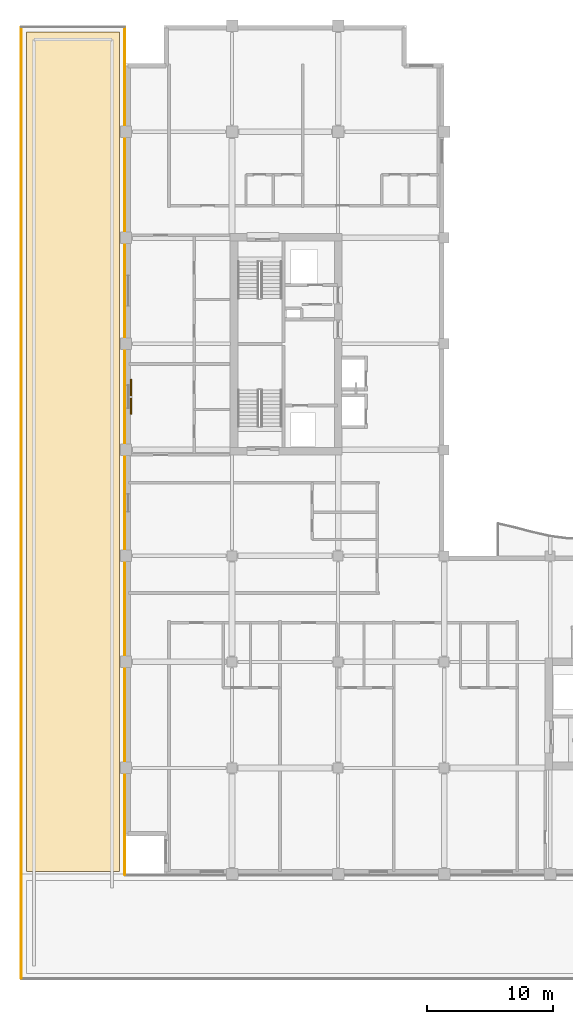
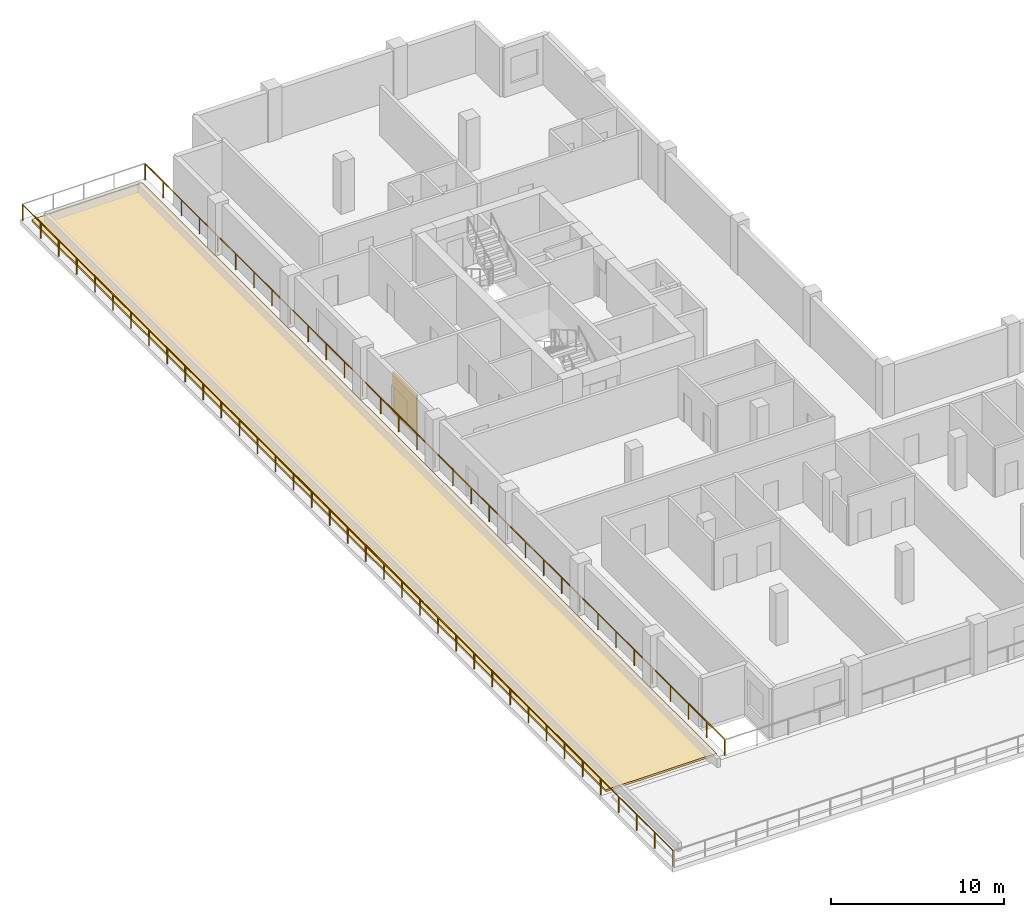
# One storey, part 11 of 13: 2 railings, 1 covering, 1 shading device.
"""IFC4 building model written with IfcOpenShell, lengths in metres."""

from ifc_helpers import new_model, si_unit, direction, frame, origin, origin_2d, place, context, subcontext, project, spatial, polyline, rectangle, circle, outline, extrude, material, layer, layer_set, type_object, element, save


model = new_model("IFC4")

# Units and contexts
model_context = context("Model", 3, precision=1e-05, world=origin(), true_north=direction((0.0, 1.0)))
body_context = subcontext(model_context, "Body", "Model", "MODEL_VIEW")
ifc_project = project(units=[si_unit("LENGTHUNIT", "METRE"), si_unit("AREAUNIT", "SQUARE_METRE"), si_unit("VOLUMEUNIT", "CUBIC_METRE"), si_unit("PLANEANGLEUNIT", "RADIAN"), si_unit("MASSUNIT", "GRAM", prefix="KILO")], contexts=[model_context])

# Site, building, storey
site_placement = place(None, origin())
site = spatial("IfcSite", under=ifc_project, at=site_placement, CompositionType="ELEMENT")
building_placement = place(site_placement, origin())
building = spatial("IfcBuilding", under=site, at=building_placement, Name="Koriwani Terraces Tower", CompositionType="ELEMENT")
storey_placement = place(building_placement, frame((0.0, 0.0, 234.199951171875)))
storey = spatial("IfcBuildingStorey", under=building, at=storey_placement, Name="L57", CompositionType="ELEMENT", Elevation=234.199951171875)

# Railings
ifc_material_1 = material(Name="Steel ASTM A572 Grade 50", Category="steel")
railing_type = type_object("IfcRailingType", Name="GUARD_BALUSTRADE_1150", PredefinedType="BALUSTRADE", material=ifc_material_1)
railing_1_placement = place(storey_placement, frame((0.10009765625, 0.135009765625, 0.0)))
element("IfcRailing", 1, at=railing_1_placement, inside=storey, type_object=railing_type, Name="L57 Setback Sky-Garden Terrace Balustrade Segment 1", PredefinedType="BALUSTRADE", context=body_context, shape_type="SweptSolid", body=[
    extrude(circle(Radius=0.02490234375, at=origin_2d()), frame((0.0, 0.0, 1.125), z_axis=(0.0, 1.0, 0.0), x_axis=(-1.0, 0.0, 0.0)), (0.0, 0.0, 1.0), 75.330078125),
    extrude(circle(Radius=0.0224609375, at=origin_2d()), origin(), (0.0, 0.0, 1.0), 1.099853515625),
    extrude(circle(Radius=0.0224609375, at=origin_2d()), frame((0.0, 2.092529296875, 0.0)), (0.0, 0.0, 1.0), 1.099853515625),
    extrude(circle(Radius=0.0224609375, at=origin_2d()), frame((0.0, 4.18505859375, 0.0)), (0.0, 0.0, 1.0), 1.099853515625),
    extrude(circle(Radius=0.0224609375, at=origin_2d()), frame((0.0, 6.277587890625, 0.0)), (0.0, 0.0, 1.0), 1.099853515625),
    extrude(circle(Radius=0.0224609375, at=origin_2d()), frame((0.0, 8.3701171875, 0.0)), (0.0, 0.0, 1.0), 1.099853515625),
    extrude(circle(Radius=0.0224609375, at=origin_2d()), frame((0.0, 10.46240234375, 0.0)), (0.0, 0.0, 1.0), 1.099853515625),
    extrude(circle(Radius=0.0224609375, at=origin_2d()), frame((0.0, 12.554931640625, 0.0)), (0.0, 0.0, 1.0), 1.099853515625),
    extrude(circle(Radius=0.0224609375, at=origin_2d()), frame((0.0, 14.6474609375, 0.0)), (0.0, 0.0, 1.0), 1.099853515625),
    extrude(circle(Radius=0.0224609375, at=origin_2d()), frame((0.0, 16.739990234375, 0.0)), (0.0, 0.0, 1.0), 1.099853515625),
    extrude(circle(Radius=0.0224609375, at=origin_2d()), frame((0.0, 18.83251953125, 0.0)), (0.0, 0.0, 1.0), 1.099853515625),
    extrude(circle(Radius=0.0224609375, at=origin_2d()), frame((0.0, 20.925048828125, 0.0)), (0.0, 0.0, 1.0), 1.099853515625),
    extrude(circle(Radius=0.0224609375, at=origin_2d()), frame((0.0, 23.017578125, 0.0)), (0.0, 0.0, 1.0), 1.099853515625),
    extrude(circle(Radius=0.0224609375, at=origin_2d()), frame((0.0, 25.110107421875, 0.0)), (0.0, 0.0, 1.0), 1.099853515625),
    extrude(circle(Radius=0.0224609375, at=origin_2d()), frame((0.0, 27.20263671875, 0.0)), (0.0, 0.0, 1.0), 1.099853515625),
    extrude(circle(Radius=0.0224609375, at=origin_2d()), frame((0.0, 29.294921875, 0.0)), (0.0, 0.0, 1.0), 1.099853515625),
    extrude(circle(Radius=0.0224609375, at=origin_2d()), frame((0.0, 31.387451171875, 0.0)), (0.0, 0.0, 1.0), 1.099853515625),
    extrude(circle(Radius=0.0224609375, at=origin_2d()), frame((0.0, 33.47998046875, 0.0)), (0.0, 0.0, 1.0), 1.099853515625),
    extrude(circle(Radius=0.0224609375, at=origin_2d()), frame((0.0, 35.572509765625, 0.0)), (0.0, 0.0, 1.0), 1.099853515625),
    extrude(circle(Radius=0.0224609375, at=origin_2d()), frame((0.0, 37.6650390625, 0.0)), (0.0, 0.0, 1.0), 1.099853515625),
    extrude(circle(Radius=0.0224609375, at=origin_2d()), frame((0.0, 39.757568359375, 0.0)), (0.0, 0.0, 1.0), 1.099853515625),
    extrude(circle(Radius=0.0224609375, at=origin_2d()), frame((0.0, 41.85009765625, 0.0)), (0.0, 0.0, 1.0), 1.099853515625),
    extrude(circle(Radius=0.0224609375, at=origin_2d()), frame((0.0, 43.942626953125, 0.0)), (0.0, 0.0, 1.0), 1.099853515625),
    extrude(circle(Radius=0.0224609375, at=origin_2d()), frame((0.0, 46.03515625, 0.0)), (0.0, 0.0, 1.0), 1.099853515625),
    extrude(circle(Radius=0.0224609375, at=origin_2d()), frame((0.0, 48.12744140625, 0.0)), (0.0, 0.0, 1.0), 1.099853515625),
    extrude(circle(Radius=0.0224609375, at=origin_2d()), frame((0.0, 50.219970703125, 0.0)), (0.0, 0.0, 1.0), 1.099853515625),
    extrude(circle(Radius=0.0224609375, at=origin_2d()), frame((0.0, 52.3125, 0.0)), (0.0, 0.0, 1.0), 1.099853515625),
    extrude(circle(Radius=0.0224609375, at=origin_2d()), frame((0.0, 54.405029296875, 0.0)), (0.0, 0.0, 1.0), 1.099853515625),
    extrude(circle(Radius=0.0224609375, at=origin_2d()), frame((0.0, 56.49755859375, 0.0)), (0.0, 0.0, 1.0), 1.099853515625),
    extrude(circle(Radius=0.0224609375, at=origin_2d()), frame((0.0, 58.590087890625, 0.0)), (0.0, 0.0, 1.0), 1.099853515625),
    extrude(circle(Radius=0.0224609375, at=origin_2d()), frame((0.0, 60.6826171875, 0.0)), (0.0, 0.0, 1.0), 1.099853515625),
    extrude(circle(Radius=0.0224609375, at=origin_2d()), frame((0.0, 62.775146484375, 0.0)), (0.0, 0.0, 1.0), 1.099853515625),
    extrude(circle(Radius=0.0224609375, at=origin_2d()), frame((0.0, 64.86767578125, 0.0)), (0.0, 0.0, 1.0), 1.099853515625),
    extrude(circle(Radius=0.0224609375, at=origin_2d()), frame((0.0, 66.9599609375, 0.0)), (0.0, 0.0, 1.0), 1.099853515625),
    extrude(circle(Radius=0.0224609375, at=origin_2d()), frame((0.0, 69.052490234375, 0.0)), (0.0, 0.0, 1.0), 1.099853515625),
    extrude(circle(Radius=0.0224609375, at=origin_2d()), frame((0.0, 71.14501953125, 0.0)), (0.0, 0.0, 1.0), 1.099853515625),
    extrude(circle(Radius=0.0224609375, at=origin_2d()), frame((0.0, 73.237548828125, 0.0)), (0.0, 0.0, 1.0), 1.099853515625),
    extrude(circle(Radius=0.0224609375, at=origin_2d()), frame((0.0, 75.330078125, 0.0)), (0.0, 0.0, 1.0), 1.099853515625),
])
railing_2_placement = place(storey_placement, frame((8.300048828125, 75.465087890625, 0.0)))
element("IfcRailing", 2, at=railing_2_placement, inside=storey, type_object=railing_type, Name="L57 Setback Sky-Garden Terrace Balustrade Segment 3", PredefinedType="BALUSTRADE", context=body_context, shape_type="SweptSolid", body=[
    extrude(circle(Radius=0.02490234375, at=origin_2d()), frame((0.0, 0.0, 1.125), z_axis=(0.0, -1.0, 0.0), x_axis=(1.0, 0.0, 0.0)), (0.0, 0.0, 1.0), 67.130126953125),
    extrude(circle(Radius=0.0224609375, at=origin_2d()), origin(), (0.0, 0.0, 1.0), 1.099853515625),
    extrude(circle(Radius=0.0224609375, at=origin_2d()), frame((0.0, -2.097900390625, 0.0)), (0.0, 0.0, 1.0), 1.099853515625),
    extrude(circle(Radius=0.0224609375, at=origin_2d()), frame((0.0, -4.195556640625, 0.0)), (0.0, 0.0, 1.0), 1.099853515625),
    extrude(circle(Radius=0.0224609375, at=origin_2d()), frame((0.0, -6.29345703125, 0.0)), (0.0, 0.0, 1.0), 1.099853515625),
    extrude(circle(Radius=0.0224609375, at=origin_2d()), frame((0.0, -8.391357421875, 0.0)), (0.0, 0.0, 1.0), 1.099853515625),
    extrude(circle(Radius=0.0224609375, at=origin_2d()), frame((0.0, -10.489013671875, 0.0)), (0.0, 0.0, 1.0), 1.099853515625),
    extrude(circle(Radius=0.0224609375, at=origin_2d()), frame((0.0, -12.5869140625, 0.0)), (0.0, 0.0, 1.0), 1.099853515625),
    extrude(circle(Radius=0.0224609375, at=origin_2d()), frame((0.0, -14.684814453125, 0.0)), (0.0, 0.0, 1.0), 1.099853515625),
    extrude(circle(Radius=0.0224609375, at=origin_2d()), frame((0.0, -16.782470703125, 0.0)), (0.0, 0.0, 1.0), 1.099853515625),
    extrude(circle(Radius=0.0224609375, at=origin_2d()), frame((0.0, -18.88037109375, 0.0)), (0.0, 0.0, 1.0), 1.099853515625),
    extrude(circle(Radius=0.0224609375, at=origin_2d()), frame((0.0, -20.978271484375, 0.0)), (0.0, 0.0, 1.0), 1.099853515625),
    extrude(circle(Radius=0.0224609375, at=origin_2d()), frame((0.0, -23.075927734375, 0.0)), (0.0, 0.0, 1.0), 1.099853515625),
    extrude(circle(Radius=0.0224609375, at=origin_2d()), frame((0.0, -25.173828125, 0.0)), (0.0, 0.0, 1.0), 1.099853515625),
    extrude(circle(Radius=0.0224609375, at=origin_2d()), frame((0.0, -27.271728515625, 0.0)), (0.0, 0.0, 1.0), 1.099853515625),
    extrude(circle(Radius=0.0224609375, at=origin_2d()), frame((0.0, -29.369384765625, 0.0)), (0.0, 0.0, 1.0), 1.099853515625),
    extrude(circle(Radius=0.0224609375, at=origin_2d()), frame((0.0, -31.46728515625, 0.0)), (0.0, 0.0, 1.0), 1.099853515625),
    extrude(circle(Radius=0.0224609375, at=origin_2d()), frame((0.0, -33.56494140625, 0.0)), (0.0, 0.0, 1.0), 1.099853515625),
    extrude(circle(Radius=0.0224609375, at=origin_2d()), frame((0.0, -35.662841796875, 0.0)), (0.0, 0.0, 1.0), 1.099853515625),
    extrude(circle(Radius=0.0224609375, at=origin_2d()), frame((0.0, -37.7607421875, 0.0)), (0.0, 0.0, 1.0), 1.099853515625),
    extrude(circle(Radius=0.0224609375, at=origin_2d()), frame((0.0, -39.8583984375, 0.0)), (0.0, 0.0, 1.0), 1.099853515625),
    extrude(circle(Radius=0.0224609375, at=origin_2d()), frame((0.0, -41.956298828125, 0.0)), (0.0, 0.0, 1.0), 1.099853515625),
    extrude(circle(Radius=0.0224609375, at=origin_2d()), frame((0.0, -44.05419921875, 0.0)), (0.0, 0.0, 1.0), 1.099853515625),
    extrude(circle(Radius=0.0224609375, at=origin_2d()), frame((0.0, -46.15185546875, 0.0)), (0.0, 0.0, 1.0), 1.099853515625),
    extrude(circle(Radius=0.0224609375, at=origin_2d()), frame((0.0, -48.249755859375, 0.0)), (0.0, 0.0, 1.0), 1.099853515625),
    extrude(circle(Radius=0.0224609375, at=origin_2d()), frame((0.0, -50.34765625, 0.0)), (0.0, 0.0, 1.0), 1.099853515625),
    extrude(circle(Radius=0.0224609375, at=origin_2d()), frame((0.0, -52.4453125, 0.0)), (0.0, 0.0, 1.0), 1.099853515625),
    extrude(circle(Radius=0.0224609375, at=origin_2d()), frame((0.0, -54.543212890625, 0.0)), (0.0, 0.0, 1.0), 1.099853515625),
    extrude(circle(Radius=0.0224609375, at=origin_2d()), frame((0.0, -56.64111328125, 0.0)), (0.0, 0.0, 1.0), 1.099853515625),
    extrude(circle(Radius=0.0224609375, at=origin_2d()), frame((0.0, -58.73876953125, 0.0)), (0.0, 0.0, 1.0), 1.099853515625),
    extrude(circle(Radius=0.0224609375, at=origin_2d()), frame((0.0, -60.836669921875, 0.0)), (0.0, 0.0, 1.0), 1.099853515625),
    extrude(circle(Radius=0.0224609375, at=origin_2d()), frame((0.0, -62.9345703125, 0.0)), (0.0, 0.0, 1.0), 1.099853515625),
    extrude(circle(Radius=0.0224609375, at=origin_2d()), frame((0.0, -65.0322265625, 0.0)), (0.0, 0.0, 1.0), 1.099853515625),
    extrude(circle(Radius=0.0224609375, at=origin_2d()), frame((0.0, -67.130126953125, 0.0)), (0.0, 0.0, 1.0), 1.099853515625),
])

# Covering
ifc_material_2 = material(Name="Insulated Modified Bitumen Roofing", Category="masonry")
ifc_layer_1 = layer(ifc_material_2, 0.139892578125, Name="Insulated Modified Bitumen Roofing")
ifc_layer_set_1 = layer_set([ifc_layer_1], Name="Insulated Modified Bitumen Roofing")
covering_type = type_object("IfcCoveringType", Name="ROOFING_MEMBRANE_INSUL", PredefinedType="ROOFING", material=ifc_layer_set_1)
covering_placement = place(storey_placement, origin())
element("IfcCovering", 3, at=covering_placement, inside=storey, type_object=covering_type, Name="L57 Sky-Garden Terrace Waterproofing & Planted Media-W", PredefinedType="ROOFING", context=body_context, shape_type="SweptSolid", body=[
    extrude(outline(polyline([(0.5, 8.60009765625), (7.89990234375, 8.60009765625), (7.89990234375, 75.10009765625), (0.5, 75.10009765625), (0.5, 8.60009765625)])), origin(), (0.0, 0.0, 1.0), 0.14013671875),
])

# Shading device
ifc_material_3 = material(Name="Extruded Terracotta Clay", Category="masonry")
ifc_layer_2 = layer(ifc_material_3, 0.1201171875, Name="Extruded Terracotta Clay")
ifc_layer_set_2 = layer_set([ifc_layer_2], Name="Extruded Terracotta Clay")
shading_device_type = type_object("IfcShadingDeviceType", Name="TERRACOTTA_BAGUETTE_SCREEN_2800", PredefinedType="USERDEFINED", material=ifc_layer_set_2)
shading_device_placement = place(storey_placement, frame((8.804931640625, 46.199951171875, 0.28515625), z_axis=(0.0, 0.0, 1.0), x_axis=(0.0, 1.0, 0.0)))
element("IfcShadingDevice", 4, at=shading_device_placement, inside=storey, type_object=shading_device_type, Name="L57 Extruded Terracotta Baguette Screen (W-12)", ObjectType="BAGUETTE", PredefinedType="USERDEFINED", context=body_context, shape_type="SweptSolid", body=[
    extrude(rectangle(XDim=2.760009765625, YDim=0.1201171875, at=origin_2d()), origin(), (0.0, 0.0, 1.0), 2.89990234375),
])

save(model, "model.ifc")
